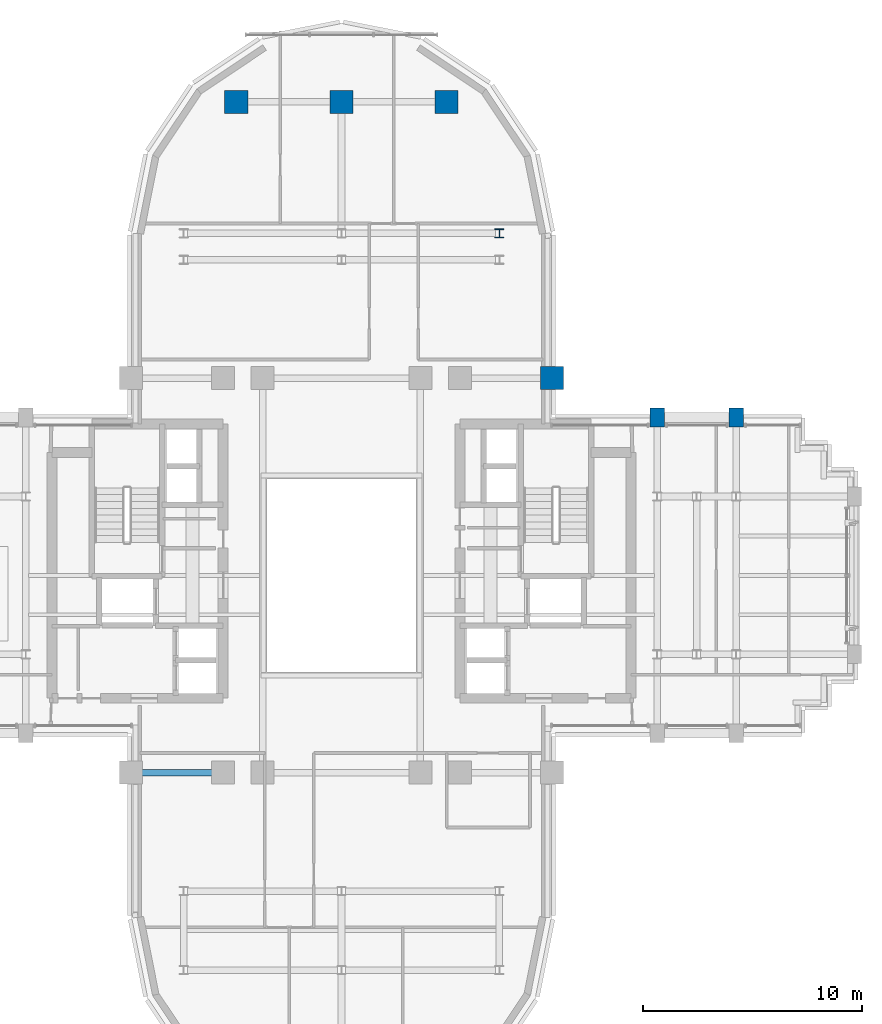
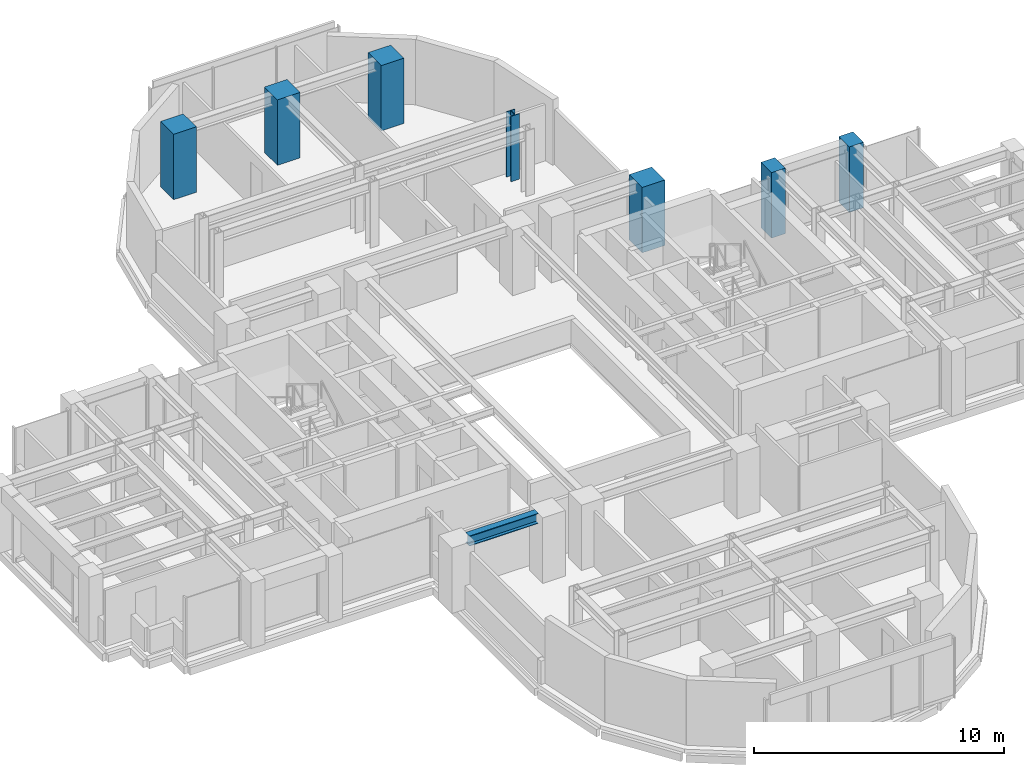
# One storey, part 2 of 14: 7 columns, 1 beam.
"""IFC4 building model written with IfcOpenShell, lengths in metres."""

from ifc_helpers import new_model, si_unit, direction, frame, origin, origin_2d, place, context, subcontext, project, spatial, rectangle, i_section, extrude, source, transform, mapped, material, material_profile, profile_set, type_object, element, save


model = new_model("IFC4")

# Units and contexts
model_context = context("Model", 3, precision=1e-05, world=origin(), true_north=direction((0.0, 1.0)))
body_context = subcontext(model_context, "Body", "Model", "MODEL_VIEW")
ifc_project = project(units=[si_unit("LENGTHUNIT", "METRE"), si_unit("AREAUNIT", "SQUARE_METRE"), si_unit("VOLUMEUNIT", "CUBIC_METRE"), si_unit("PLANEANGLEUNIT", "RADIAN"), si_unit("MASSUNIT", "GRAM", prefix="KILO")], contexts=[model_context])

# Site, building, storey
site_placement = place(None, origin())
site = spatial("IfcSite", under=ifc_project, at=site_placement, CompositionType="ELEMENT")
building_placement = place(site_placement, origin())
building = spatial("IfcBuilding", under=site, at=building_placement, Name="Keilestroom Media Tower", CompositionType="ELEMENT")
storey_placement = place(building_placement, frame((0.0, 0.0, 121.0)))
storey = spatial("IfcBuildingStorey", under=building, at=storey_placement, Name="L32", CompositionType="ELEMENT", Elevation=121.0)

# Columns
ifc_material_1 = material(Name="Precast concrete C40/50", Category="concrete")
ifc_material_profile_1 = material_profile(ifc_material_1, rectangle(XDim=0.64990234375, YDim=0.85009765625, at=origin_2d()), Name="PC 850x650")
ifc_profile_set_1 = profile_set([ifc_material_profile_1], Name="Precast concrete C40/50")
column_type_1 = type_object("IfcColumnType", Name="Structural-Column-PC-850x650", PredefinedType="COLUMN", material=ifc_profile_set_1)
shared_shape_1 = source(origin(), body_context, "Body", "SweptSolid", [
    extrude(rectangle(XDim=0.64990234375, YDim=0.85009765625, at=origin_2d()), origin(), (0.0, 0.0, 1.0), 3.199951171875),
])
for number, where, z_axis, x_axis, name in (
    (1, (14.39990234375, 7.199951171875, 0.0), (0.0, 0.0, 1.0), (1.0, 0.0, 0.0), "L32 Column PC-2 (+14.4,+7.2)"),
    (2, (18.0, 7.199951171875, 0.0), (0.0, 0.0, 1.0), (1.0, 0.0, 0.0), "L32 Column PC-2 (+18.0,+7.2)"),
):
    element("IfcColumn", number, at=place(storey_placement, frame(where, z_axis=z_axis, x_axis=x_axis)), inside=storey, type_object=column_type_1, Name=name, PredefinedType="COLUMN", context=body_context, shape_type="MappedRepresentation", body=[
        mapped(shared_shape_1, transform((0.0, 0.0, 0.0), x_axis=(1.0, 0.0, 0.0), y_axis=(0.0, 1.0, 0.0), z_axis=(0.0, 0.0, 1.0), scale=1.0)),
    ])
ifc_material_2 = material(Name="Steel S355", Category="steel")
ifc_material_profile_2 = material_profile(ifc_material_2, i_section(OverallWidth=0.40087890625, OverallDepth=0.39892578125, WebThickness=0.02001953125, FlangeThickness=0.031982421875, at=origin_2d()), Name="HD 400x314")
ifc_profile_set_2 = profile_set([ifc_material_profile_2], Name="Steel S355")
column_type_2 = type_object("IfcColumnType", Name="Structural-Column-HD-400x314", PredefinedType="COLUMN", material=ifc_profile_set_2)
shared_shape_2 = source(origin(), body_context, "Body", "SweptSolid", [
    extrude(i_section(OverallWidth=0.40087890625, OverallDepth=0.39892578125, WebThickness=0.02001953125, FlangeThickness=0.031982421875, at=origin_2d()), origin(), (0.0, 0.0, 1.0), 3.199951171875),
])
column_placement = place(storey_placement, frame((7.199951171875, 15.60009765625, 0.0), z_axis=(0.0, 0.0, 1.0), x_axis=(1.0, 0.0, 0.0)))
element("IfcColumn", 3, at=column_placement, inside=storey, type_object=column_type_2, Name="L32 Column SC-3 (+7.2,+15.6)", PredefinedType="COLUMN", context=body_context, shape_type="MappedRepresentation", body=[
    mapped(shared_shape_2, transform((0.0, 0.0, 0.0), x_axis=(1.0, 0.0, 0.0), y_axis=(0.0, 1.0, 0.0), z_axis=(0.0, 0.0, 1.0), scale=1.0)),
])
ifc_material_3 = material(Name="Concrete C55/67", Category="concrete")
ifc_material_profile_3 = material_profile(ifc_material_3, rectangle(XDim=1.050048828125, YDim=1.050048828125, at=origin_2d()), Name="RC 1050x1050")
ifc_profile_set_3 = profile_set([ifc_material_profile_3], Name="Concrete C55/67")
column_type_3 = type_object("IfcColumnType", Name="Structural-Column-RC-1050x1050", PredefinedType="COLUMN", material=ifc_profile_set_3)
shared_shape_3 = source(origin(), body_context, "Body", "SweptSolid", [
    extrude(rectangle(XDim=1.050048828125, YDim=1.050048828125, at=origin_2d()), origin(), (0.0, 0.0, 1.0), 3.199951171875),
])
for number, where, z_axis, x_axis, name in (
    (4, (-4.800048828125, 21.60009765625, 0.0), (0.0, 0.0, 1.0), (1.0, 0.0, 0.0), "L32 Column MC-3 (-4.8,+21.6)"),
    (5, (0.0, 21.60009765625, 0.0), (0.0, 0.0, 1.0), (1.0, 0.0, 0.0), "L32 Column MC-3 (+0.0,+21.6)"),
    (6, (4.800048828125, 21.60009765625, 0.0), (0.0, 0.0, 1.0), (1.0, 0.0, 0.0), "L32 Column MC-3 (+4.8,+21.6)"),
    (7, (9.60009765625, 9.0, 0.0), (0.0, 0.0, 1.0), (1.0, 0.0, 0.0), "L32 Column MC-3 (+9.6,+9.0)"),
):
    element("IfcColumn", number, at=place(storey_placement, frame(where, z_axis=z_axis, x_axis=x_axis)), inside=storey, type_object=column_type_3, Name=name, PredefinedType="COLUMN", context=body_context, shape_type="MappedRepresentation", body=[
        mapped(shared_shape_3, transform((0.0, 0.0, 0.0), x_axis=(1.0, 0.0, 0.0), y_axis=(0.0, 1.0, 0.0), z_axis=(0.0, 0.0, 1.0), scale=1.0)),
    ])

# Beam
ifc_material_profile_4 = material_profile(ifc_material_2, i_section(OverallWidth=0.300048828125, OverallDepth=0.5, WebThickness=0.012451171875, FlangeThickness=0.028076171875, at=origin_2d()), Name="HEB 500")
ifc_profile_set_4 = profile_set([ifc_material_profile_4], Name="Steel S355")
beam_type = type_object("IfcBeamType", Name="Primary-Structural-Girder-HEB-500", PredefinedType="BEAM", material=ifc_profile_set_4)
shared_shape_4 = source(origin(), body_context, "Body", "SweptSolid", [
    extrude(i_section(OverallWidth=0.300048828125, OverallDepth=0.5, WebThickness=0.012451171875, FlangeThickness=0.028076171875, at=origin_2d()), origin(), (0.0, 0.0, 1.0), 3.18994140625),
])
beam_placement = place(storey_placement, frame((-9.094970703125, -9.0, 2.949951171875), z_axis=(1.0, 0.0, 0.0), x_axis=(0.0, 1.0, 0.0)))
element("IfcBeam", 8, at=beam_placement, inside=storey, type_object=beam_type, Name="L32 Beam BG-6 BM-L32-EW-007", PredefinedType="BEAM", context=body_context, shape_type="MappedRepresentation", body=[
    mapped(shared_shape_4, transform((0.0, 0.0, 0.0), x_axis=(1.0, 0.0, 0.0), y_axis=(0.0, 1.0, 0.0), z_axis=(0.0, 0.0, 1.0), scale=1.0)),
])

save(model, "model.ifc")
